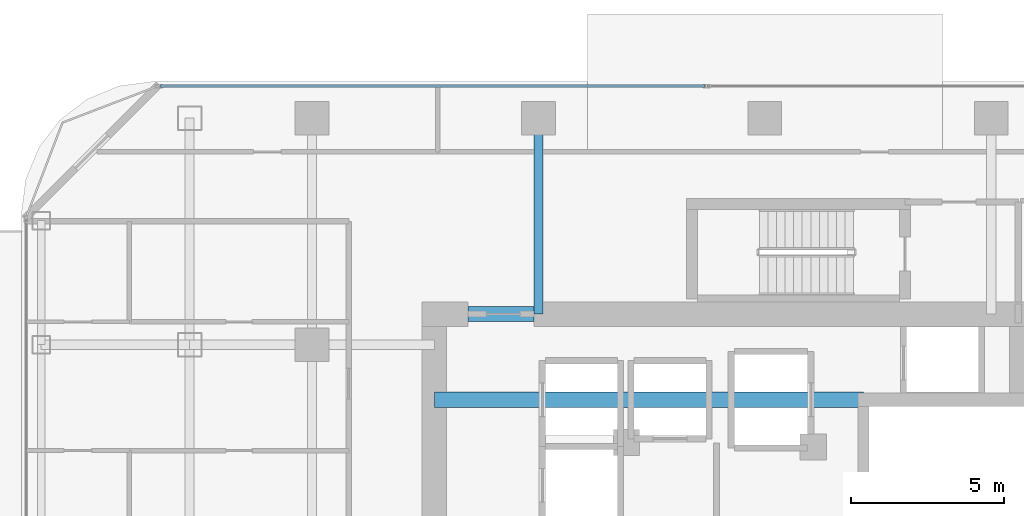
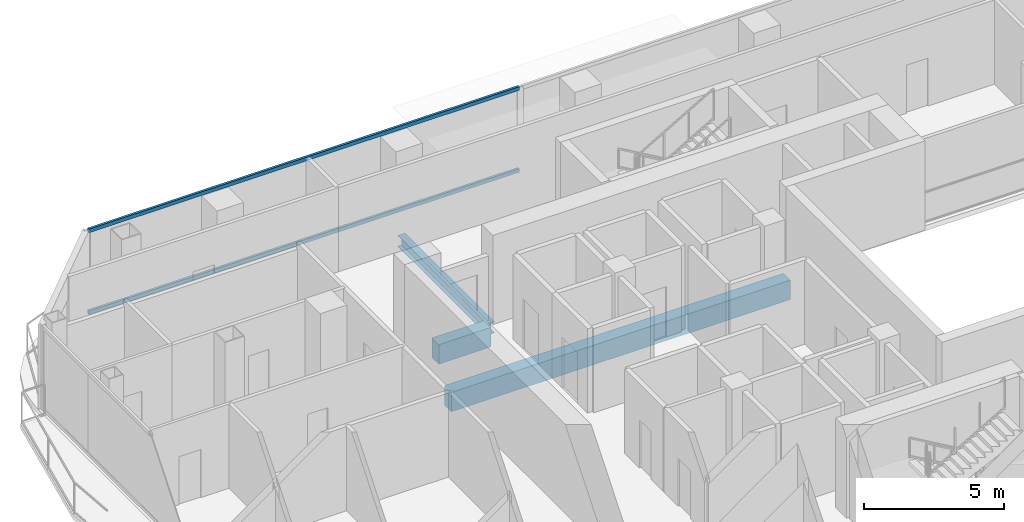
# One storey, part 12 of 23: 3 beams, 2 members, 1 element without a shape of its own.
"""IFC4 building model written with IfcOpenShell, lengths in metres."""

from ifc_helpers import new_model, si_unit, direction, frame, origin, origin_2d, place, context, subcontext, project, spatial, rectangle, hollow_rectangle, i_section, extrude, material, layer, layer_set, material_profile, profile_set, type_object, element, aggregate, save


model = new_model("IFC4")

# Units and contexts
model_context = context("Model", 3, precision=1e-05, world=origin(), true_north=direction((0.0, 1.0)))
body_context = subcontext(model_context, "Body", "Model", "MODEL_VIEW")
ifc_project = project(units=[si_unit("LENGTHUNIT", "METRE"), si_unit("AREAUNIT", "SQUARE_METRE"), si_unit("VOLUMEUNIT", "CUBIC_METRE"), si_unit("PLANEANGLEUNIT", "RADIAN"), si_unit("MASSUNIT", "GRAM", prefix="KILO")], contexts=[model_context])

# Site, building, storey
site_placement = place(None, origin())
site = spatial("IfcSite", under=ifc_project, at=site_placement, CompositionType="ELEMENT")
building_placement = place(site_placement, origin())
building = spatial("IfcBuilding", under=site, at=building_placement, Name="Khorvyn Point Tower", CompositionType="ELEMENT")
storey_placement = place(building_placement, frame((0.0, 0.0, 195.300048828125)))
storey = spatial("IfcBuildingStorey", under=building, at=storey_placement, Name="L48", CompositionType="ELEMENT", Elevation=195.300048828125)

# Curtain wall, members
ifc_material_1 = material(Name="Anodised aluminium 6063-T6 and laminated Low-E glass", Category="aluminium")
ifc_layer = layer(ifc_material_1, 0.18994140625)
ifc_layer_set = layer_set([ifc_layer], Name="Stick-Built Acoustic Curtain Wall CW-SYS-03")
curtain_wall_type = type_object("IfcCurtainWallType", Name="Stick-Built Acoustic Curtain Wall CW-SYS-03", PredefinedType="NOTDEFINED", material=ifc_layer_set)
curtain_wall_placement = place(storey_placement, origin())
curtain_wall = element("IfcCurtainWall", 1, at=curtain_wall_placement, inside=storey, type_object=curtain_wall_type, Name="Curtain Wall", PredefinedType="NOTDEFINED")
ifc_material_2 = material(Name="Anodised aluminium 6063-T6", Category="aluminium")
ifc_material_profile_1 = material_profile(ifc_material_2, hollow_rectangle(XDim=0.10009765625, YDim=0.159912109375, WallThickness=0.00439453125, at=origin_2d()))
ifc_profile_set_1 = profile_set([ifc_material_profile_1], Name="Anodised aluminium 6063-T6 ALU-TRN-100x160")
member_type = type_object("IfcMemberType", Name="Anodised Aluminium 6063-T6 Transom ALU-TRN-100x160", PredefinedType="USERDEFINED", material=ifc_profile_set_1)
member_1_placement = place(storey_placement, frame((-19.75, 15.85009765625, 0.050048828125), z_axis=(1.0, 0.0, 0.0), x_axis=(0.0, 1.0, 0.0)))
member_1 = element("IfcMember", 2, at=member_1_placement, type_object=member_type, Name="Transom", ObjectType="TRANSOM", PredefinedType="USERDEFINED", context=body_context, shape_type="SweptSolid", body=[
    extrude(hollow_rectangle(XDim=0.10009765625, YDim=0.159912109375, WallThickness=0.00439453125, at=origin_2d()), origin(), (0.0, 0.0, 1.0), 17.800048828125),
])
member_2_placement = place(storey_placement, frame((-19.75, 15.85009765625, 3.6298828125), z_axis=(1.0, 0.0, 0.0), x_axis=(0.0, 1.0, 0.0)))
member_2 = element("IfcMember", 3, at=member_2_placement, type_object=member_type, Name="Transom", ObjectType="TRANSOM", PredefinedType="USERDEFINED", context=body_context, shape_type="SweptSolid", body=[
    extrude(hollow_rectangle(XDim=0.10009765625, YDim=0.159912109375, WallThickness=0.00439453125, at=origin_2d()), origin(), (0.0, 0.0, 1.0), 17.800048828125),
])
aggregate(curtain_wall, [member_1, member_2])

# Beams
ifc_material_3 = material(Name="Concrete C45/55", Category="concrete")
ifc_material_profile_2 = material_profile(ifc_material_3, rectangle(XDim=0.5, YDim=0.85009765625, at=origin_2d()))
ifc_profile_set_2 = profile_set([ifc_material_profile_2], Name="Concrete C45/55 RC500x850")
beam_type_1 = type_object("IfcBeamType", Name="Concrete C45/55 Beam RC500x850", PredefinedType="BEAM", material=ifc_profile_set_2)
beam_1_placement = place(storey_placement, frame((-10.800048828125, 5.60009765625, -0.64501953125), z_axis=(1.0, 0.0, 0.0), x_axis=(0.0, 1.0, 0.0)))
element("IfcBeam", 4, at=beam_1_placement, inside=storey, type_object=beam_type_1, Name="L48 Core Internal Tie Girder N", PredefinedType="BEAM", context=body_context, shape_type="SweptSolid", body=[
    extrude(rectangle(XDim=0.5, YDim=0.85009765625, at=origin_2d()), origin(), (0.0, 0.0, 1.0), 14.02001953125),
])
beam_2_placement = place(storey_placement, frame((-9.699951171875, 8.39990234375, -0.64501953125), z_axis=(1.0, 0.0, 0.0), x_axis=(0.0, 1.0, 0.0)))
element("IfcBeam", 5, at=beam_2_placement, inside=storey, type_object=beam_type_1, Name="L48 Core Northwest Portal Coupling Beam", PredefinedType="BEAM", context=body_context, shape_type="SweptSolid", body=[
    extrude(rectangle(XDim=0.5, YDim=0.85009765625, at=origin_2d()), origin(), (0.0, 0.0, 1.0), 2.14990234375),
])
ifc_material_4 = material(Name="Steel S355", Category="steel")
ifc_material_profile_3 = material_profile(ifc_material_4, i_section(OverallWidth=0.300048828125, OverallDepth=0.488037109375, WebThickness=0.010986328125, FlangeThickness=0.01806640625, at=origin_2d()))
ifc_profile_set_3 = profile_set([ifc_material_profile_3], Name="Steel S355 H488x300x11x18")
beam_type_2 = type_object("IfcBeamType", Name="Steel S355 Spandrel H488x300x11x18", PredefinedType="SPANDREL", material=ifc_profile_set_3)
beam_3_placement = place(storey_placement, frame((-7.39990234375, 8.39990234375, -0.464111328125), z_axis=(0.0, 1.0, 0.0), x_axis=(-1.0, 0.0, 0.0)))
element("IfcBeam", 6, at=beam_3_placement, inside=storey, type_object=beam_type_2, Name="Beam", PredefinedType="SPANDREL", context=body_context, shape_type="SweptSolid", body=[
    extrude(i_section(OverallWidth=0.300048828125, OverallDepth=0.488037109375, WebThickness=0.010986328125, FlangeThickness=0.01806640625, at=origin_2d()), origin(), (0.0, 0.0, 1.0), 6.400146484375),
])

save(model, "model.ifc")
